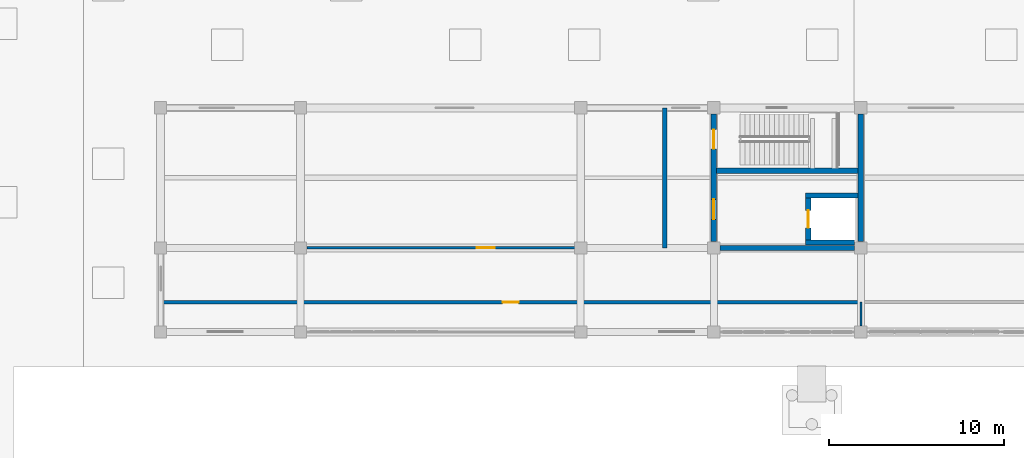
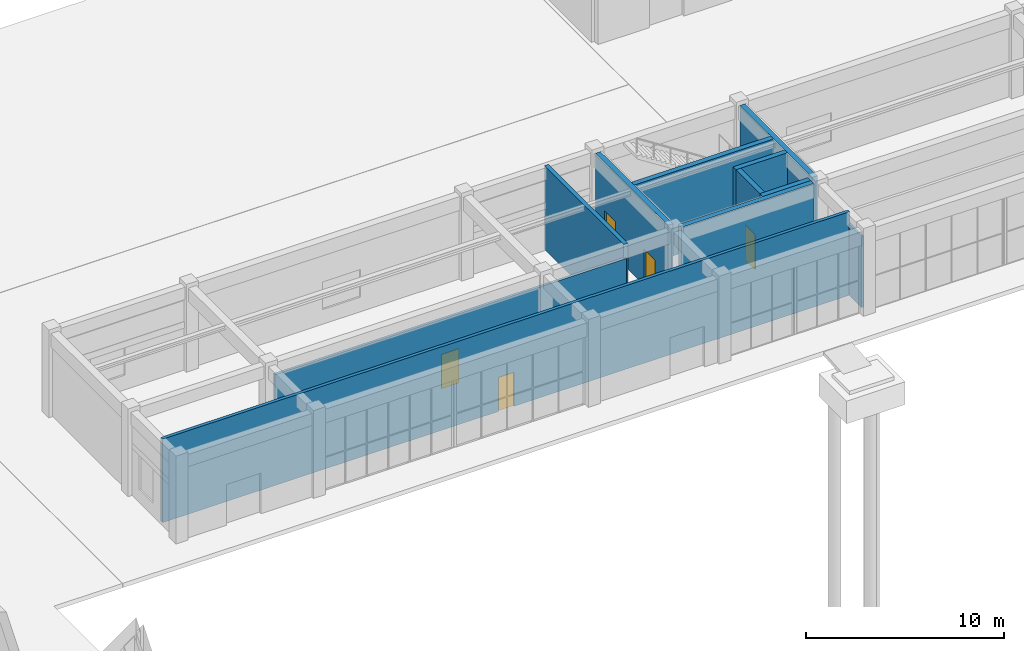
# One storey, part 31 of 46: 11 walls, 5 doors, 5 openings.
"""IFC4 building model written with IfcOpenShell, lengths in metres."""

from ifc_helpers import new_model, si_unit, direction, frame, frame_2d, origin, place, context, subcontext, project, spatial, rectangle, extrude, material, layer, layer_set, type_object, element, fill, save


model = new_model("IFC4")

# Units and contexts
model_context = context("Model", 3, precision=1e-05, world=origin(), true_north=direction((0.0, 1.0)))
body_context = subcontext(model_context, "Body", "Model", "MODEL_VIEW")
ifc_project = project(units=[si_unit("LENGTHUNIT", "METRE"), si_unit("AREAUNIT", "SQUARE_METRE"), si_unit("VOLUMEUNIT", "CUBIC_METRE"), si_unit("PLANEANGLEUNIT", "RADIAN"), si_unit("MASSUNIT", "GRAM", prefix="KILO")], contexts=[model_context])

# Site, building, storey
site_placement = place(None, origin())
site = spatial("IfcSite", under=ifc_project, at=site_placement, CompositionType="ELEMENT")
building_placement = place(site_placement, origin())
building = spatial("IfcBuilding", under=site, at=building_placement, Name="Cinchona Park Media Centre", CompositionType="ELEMENT")
storey_placement = place(building_placement, origin())
storey = spatial("IfcBuildingStorey", under=building, at=storey_placement, Name="L00", CompositionType="ELEMENT", Elevation=0.0)

# Walls
ifc_material_1 = material(Name="Acoustic Double-Stud Gypsum Partition", Category="gypsum")
ifc_layer_1 = layer(ifc_material_1, 0.239990234375)
ifc_layer_set_1 = layer_set([ifc_layer_1], Name="Acoustic Double-Stud Gypsum Partition")
wall_type_1 = type_object("IfcWallType", Name="WALL-W-AC240", PredefinedType="PARTITIONING", material=ifc_layer_set_1)
wall_1_placement = place(storey_placement, frame((83.60009765625, 79.60009765625, 0.0), z_axis=(0.0, 0.0, 1.0), x_axis=(0.0, 1.0, 0.0)))
element("IfcWall", 1, at=wall_1_placement, inside=storey, type_object=wall_type_1, Name="Interior Wall W-AC240 L00", PredefinedType="PARTITIONING", context=body_context, shape_type="SweptSolid", body=[
    extrude(rectangle(XDim=8.0, YDim=0.239990234375, at=frame_2d((4.0, 0.0))), origin(), (0.0, 0.0, 1.0), 5.139892578125),
])
ifc_material_2 = material(Name="Concrete C40/50", Category="concrete")
ifc_layer_2 = layer(ifc_material_2, 0.300048828125)
ifc_layer_set_2 = layer_set([ifc_layer_2], Name="Concrete C40/50")
wall_type_2 = type_object("IfcWallType", Name="WALL-W-CR300", PredefinedType="SHEAR", material=ifc_layer_set_2)
wall_2_placement = place(storey_placement, frame((86.751953125, 79.60009765625, 0.0), z_axis=(0.0, 0.0, 1.0), x_axis=(1.0, 0.0, 0.0)))
element("IfcWall", 2, at=wall_2_placement, inside=storey, type_object=wall_type_2, Name="Core Shear Wall W-CR300 L00", PredefinedType="SHEAR", context=body_context, shape_type="SweptSolid", body=[
    extrude(rectangle(XDim=7.696044921875, YDim=0.300048828125, at=frame_2d((3.84814453125, 0.0))), origin(), (0.0, 0.0, 1.0), 5.139892578125),
])

# Wall, openings, doors
wall_3_placement = place(storey_placement, frame((86.39990234375, 79.951904296875, 0.0), z_axis=(0.0, 0.0, 1.0), x_axis=(0.0, 1.0, 0.0)))
wall_3 = element("IfcWall", 3, at=wall_3_placement, inside=storey, type_object=wall_type_2, Name="Core Shear Wall W-CR300 L00", PredefinedType="SHEAR", context=body_context, shape_type="SweptSolid", body=[
    extrude(rectangle(XDim=7.296142578125, YDim=0.300048828125, at=frame_2d((3.64794921875, 0.0))), origin(), (0.0, 0.0, 1.0), 5.139892578125),
])
opening_1_placement = place(wall_3_placement, frame((5.298095703125, 0.0, 0.0)))
opening_1 = element("IfcOpeningElement", 4, at=opening_1_placement, cuts=wall_3, Name="Opening D052", PredefinedType="OPENING", context=body_context, shape_type="SweptSolid", body=[
    extrude(rectangle(XDim=1.10009765625, YDim=2.14990234375, at=frame_2d((0.550048828125, 1.074951171875))), frame((0.0, 0.159912109375, 0.0), z_axis=(0.0, -1.0, 0.0), x_axis=(1.0, 0.0, 0.0)), (0.0, 0.0, 1.0), 0.320068359375),
])
opening_2_placement = place(wall_3_placement, frame((1.27294921875, 0.0, 0.0)))
opening_2 = element("IfcOpeningElement", 5, at=opening_2_placement, cuts=wall_3, Name="Opening D053", PredefinedType="OPENING", context=body_context, shape_type="SweptSolid", body=[
    extrude(rectangle(XDim=1.14990234375, YDim=2.199951171875, at=frame_2d((0.574951171875, 1.10009765625))), frame((0.0, 0.159912109375, 0.0), z_axis=(0.0, -1.0, 0.0), x_axis=(1.0, 0.0, 0.0)), (0.0, 0.0, 1.0), 0.320068359375),
])
ifc_material_3 = material(Name="Insulated Fire-Rated Steel Door", Category="steel")
door_type_1 = type_object("IfcDoorType", Name="DOOR-DT-FF", OperationType="NOTDEFINED", PredefinedType="DOOR", material=ifc_material_3)
door_1_placement = place(opening_2_placement, origin())
door_1 = element("IfcDoor", 6, at=door_1_placement, inside=storey, type_object=door_type_1, Name="Interior Door D053", OperationType="SINGLE_SWING_LEFT", OverallHeight=2.199951171875, OverallWidth=1.14990234375, PredefinedType="DOOR", context=body_context, shape_type="SweptSolid", body=[
    extrude(rectangle(XDim=1.14990234375, YDim=2.199951171875, at=frame_2d((0.574951171875, 1.10009765625))), frame((0.0, 0.02490234375, 0.0), z_axis=(0.0, -1.0, 0.0), x_axis=(1.0, 0.0, 0.0)), (0.0, 0.0, 1.0), 0.050048828125),
])
fill(opening_2, door_1)
ifc_material_4 = material(Name="Insulated Fire-Rated Steel Door", Category="steel")
door_type_2 = type_object("IfcDoorType", Name="DOOR-DT-ST", OperationType="NOTDEFINED", PredefinedType="DOOR", material=ifc_material_4)
door_2_placement = place(opening_1_placement, origin())
door_2 = element("IfcDoor", 7, at=door_2_placement, inside=storey, type_object=door_type_2, Name="Interior Door D052", OperationType="SINGLE_SWING_RIGHT", OverallHeight=2.14990234375, OverallWidth=1.10009765625, PredefinedType="DOOR", context=body_context, shape_type="SweptSolid", body=[
    extrude(rectangle(XDim=1.10009765625, YDim=2.14990234375, at=frame_2d((0.550048828125, 1.074951171875))), frame((0.0, 0.02490234375, 0.0), z_axis=(0.0, -1.0, 0.0), x_axis=(1.0, 0.0, 0.0)), (0.0, 0.0, 1.0), 0.050048828125),
])
fill(opening_1, door_2)

# Walls
wall_4_placement = place(storey_placement, frame((94.800048828125, 79.951904296875, 0.0), z_axis=(0.0, 0.0, 1.0), x_axis=(0.0, 1.0, 0.0)))
element("IfcWall", 8, at=wall_4_placement, inside=storey, type_object=wall_type_2, Name="Core Shear Wall W-CR300 L00", PredefinedType="SHEAR", context=body_context, shape_type="SweptSolid", body=[
    extrude(rectangle(XDim=7.296142578125, YDim=0.300048828125, at=frame_2d((3.64794921875, 0.0))), origin(), (0.0, 0.0, 1.0), 5.139892578125),
])
wall_5_placement = place(storey_placement, frame((86.550048828125, 84.0, 0.0), z_axis=(0.0, 0.0, 1.0), x_axis=(1.0, 0.0, 0.0)))
element("IfcWall", 9, at=wall_5_placement, inside=storey, type_object=wall_type_2, Name="Core Shear Wall W-CR300 L00", PredefinedType="SHEAR", context=body_context, shape_type="SweptSolid", body=[
    extrude(rectangle(XDim=8.099853515625, YDim=0.300048828125, at=frame_2d((4.0498046875, 0.0))), origin(), (0.0, 0.0, 1.0), 5.139892578125),
])
ifc_material_5 = material(Name="Gypsum Metal-Stud Partition", Category="gypsum")
ifc_layer_3 = layer(ifc_material_5, 0.114990234375)
ifc_layer_set_3 = layer_set([ifc_layer_3], Name="Gypsum Metal-Stud Partition")
wall_type_3 = type_object("IfcWallType", Name="WALL-W-PT115", PredefinedType="PARTITIONING", material=ifc_layer_set_3)
wall_6_placement = place(storey_placement, frame((94.800048828125, 76.5, 0.0), z_axis=(0.0, 0.0, 1.0), x_axis=(0.0, -1.0, 0.0)))
element("IfcWall", 10, at=wall_6_placement, inside=storey, type_object=wall_type_3, Name="Interior Wall W-PT115 L00", PredefinedType="PARTITIONING", context=body_context, shape_type="SweptSolid", body=[
    extrude(rectangle(XDim=1.347900390625, YDim=0.114990234375, at=frame_2d((0.673828125, 0.0))), origin(), (0.0, 0.0, 1.0), 4.389892578125),
])

# Wall, opening, door
ifc_material_6 = material(Name="Fire-Rated Gypsum Stud Partition", Category="gypsum")
ifc_layer_4 = layer(ifc_material_6, 0.14990234375)
ifc_layer_set_4 = layer_set([ifc_layer_4], Name="Fire-Rated Gypsum Stud Partition")
wall_type_4 = type_object("IfcWallType", Name="WALL-W-PT150", PredefinedType="PARTITIONING", material=ifc_layer_set_4)
wall_7_placement = place(storey_placement, frame((63.152099609375, 79.60009765625, 0.0), z_axis=(0.0, 0.0, 1.0), x_axis=(1.0, 0.0, 0.0)))
wall_7 = element("IfcWall", 11, at=wall_7_placement, inside=storey, type_object=wall_type_4, Name="Interior Wall W-PT150 L00", PredefinedType="PARTITIONING", context=body_context, shape_type="SweptSolid", body=[
    extrude(rectangle(XDim=20.447998046875, YDim=0.14990234375, at=frame_2d((10.22412109375, 0.0))), origin(), (0.0, 0.0, 1.0), 4.2900390625),
])
opening_3_placement = place(wall_7_placement, frame((9.714111328125, 0.0, 0.0)))
opening_3 = element("IfcOpeningElement", 12, at=opening_3_placement, cuts=wall_7, Name="Opening D205", PredefinedType="OPENING", context=body_context, shape_type="SweptSolid", body=[
    extrude(rectangle(XDim=1.02001953125, YDim=2.10009765625, at=frame_2d((0.510009765625, 1.050048828125))), frame((0.0, 0.0849609375, 0.0), z_axis=(0.0, -1.0, 0.0), x_axis=(1.0, 0.0, 0.0)), (0.0, 0.0, 1.0), 0.169921875),
])
ifc_material_7 = material(Name="Solid-Core Timber Acoustic Door", Category="wood")
door_type_3 = type_object("IfcDoorType", Name="DOOR-DT05", OperationType="NOTDEFINED", PredefinedType="DOOR", material=ifc_material_7)
door_3_placement = place(opening_3_placement, origin())
door_3 = element("IfcDoor", 13, at=door_3_placement, inside=storey, type_object=door_type_3, Name="Interior Door D205", OperationType="SINGLE_SWING_LEFT", OverallHeight=2.10009765625, OverallWidth=1.02001953125, PredefinedType="DOOR", context=body_context, shape_type="SweptSolid", body=[
    extrude(rectangle(XDim=1.02001953125, YDim=2.10009765625, at=frame_2d((0.510009765625, 1.050048828125))), frame((0.0, 0.02490234375, 0.0), z_axis=(0.0, -1.0, 0.0), x_axis=(1.0, 0.0, 0.0)), (0.0, 0.0, 1.0), 0.050048828125),
])
fill(opening_3, door_3)

ifc_material_8 = material(Name="Fire-Rated Gypsum Stud Partition", Category="gypsum")
ifc_layer_5 = layer(ifc_material_8, 0.18994140625)
ifc_layer_set_5 = layer_set([ifc_layer_5], Name="Fire-Rated Gypsum Stud Partition")
wall_type_5 = type_object("IfcWallType", Name="WALL-W-PT190", PredefinedType="PARTITIONING", material=ifc_layer_set_5)
wall_8_placement = place(storey_placement, frame((94.800048828125, 76.5, 0.0), z_axis=(0.0, 0.0, 1.0), x_axis=(-1.0, 0.0, 0.0)))
wall_8 = element("IfcWall", 14, at=wall_8_placement, inside=storey, type_object=wall_type_5, Name="Interior Wall W-PT190 L00", PredefinedType="PARTITIONING", context=body_context, shape_type="SweptSolid", body=[
    extrude(rectangle(XDim=40.0, YDim=0.18994140625, at=frame_2d((20.0, 0.0))), origin(), (0.0, 0.0, 1.0), 5.139892578125),
])
opening_4_placement = place(wall_8_placement, frame((19.5400390625, 0.0, 0.0)))
opening_4 = element("IfcOpeningElement", 15, at=opening_4_placement, cuts=wall_8, Name="Opening D203", PredefinedType="OPENING", context=body_context, shape_type="SweptSolid", body=[
    extrude(rectangle(XDim=0.919921875, YDim=2.10009765625, at=frame_2d((0.4599609375, 1.050048828125))), frame((0.0, 0.10498046875, 0.0), z_axis=(0.0, -1.0, 0.0), x_axis=(1.0, 0.0, 0.0)), (0.0, 0.0, 1.0), 0.2099609375),
])
ifc_material_9 = material(Name="Solid-Core Timber Acoustic Door", Category="wood")
door_type_4 = type_object("IfcDoorType", Name="DOOR-DT01", OperationType="NOTDEFINED", PredefinedType="DOOR", material=ifc_material_9)
door_4_placement = place(opening_4_placement, origin())
door_4 = element("IfcDoor", 16, at=door_4_placement, inside=storey, type_object=door_type_4, Name="Interior Door D203", OperationType="SINGLE_SWING_LEFT", OverallHeight=2.10009765625, OverallWidth=0.919921875, PredefinedType="DOOR", context=body_context, shape_type="SweptSolid", body=[
    extrude(rectangle(XDim=0.919921875, YDim=2.10009765625, at=frame_2d((0.4599609375, 1.050048828125))), frame((0.0, 0.02490234375, 0.0), z_axis=(0.0, -1.0, 0.0), x_axis=(1.0, 0.0, 0.0)), (0.0, 0.0, 1.0), 0.050048828125),
])
fill(opening_4, door_4)

# Walls
ifc_material_10 = material(Name="Concrete C40/50", Category="concrete")
ifc_layer_6 = layer(ifc_material_10, 0.2900390625)
ifc_layer_set_6 = layer_set([ifc_layer_6], Name="Concrete C40/50")
wall_type_6 = type_object("IfcWallType", Name="WALL-W-SH290", PredefinedType="SHEAR", material=ifc_layer_set_6)
wall_9_placement = place(storey_placement, frame((91.655029296875, 79.89990234375, 0.0), z_axis=(0.0, 0.0, 1.0), x_axis=(1.0, 0.0, 0.0)))
element("IfcWall", 17, at=wall_9_placement, inside=storey, type_object=wall_type_6, Name="Core Shear Wall W-SH290 L00", PredefinedType="SHEAR", context=body_context, shape_type="SweptSolid", body=[
    extrude(rectangle(XDim=2.79296875, YDim=0.2900390625, at=frame_2d((1.396484375, 0.0))), origin(), (0.0, 0.0, 1.0), 5.139892578125),
])
wall_10_placement = place(storey_placement, frame((91.655029296875, 82.60009765625, 0.0), z_axis=(0.0, 0.0, 1.0), x_axis=(1.0, 0.0, 0.0)))
element("IfcWall", 18, at=wall_10_placement, inside=storey, type_object=wall_type_6, Name="Core Shear Wall W-SH290 L00", PredefinedType="SHEAR", context=body_context, shape_type="SweptSolid", body=[
    extrude(rectangle(XDim=2.989990234375, YDim=0.2900390625, at=frame_2d((1.4951171875, 0.0))), origin(), (0.0, 0.0, 1.0), 5.139892578125),
])

# Wall, opening, door
wall_11_placement = place(storey_placement, frame((91.800048828125, 80.044921875, 0.0), z_axis=(0.0, 0.0, 1.0), x_axis=(0.0, 1.0, 0.0)))
wall_11 = element("IfcWall", 19, at=wall_11_placement, inside=storey, type_object=wall_type_6, Name="Core Shear Wall W-SH290 L00", PredefinedType="SHEAR", context=body_context, shape_type="SweptSolid", body=[
    extrude(rectangle(XDim=2.41015625, YDim=0.2900390625, at=frame_2d((1.205078125, 0.0))), origin(), (0.0, 0.0, 1.0), 5.139892578125),
])
opening_5_placement = place(wall_11_placement, frame((0.705078125, 0.0, 0.0)))
opening_5 = element("IfcOpeningElement", 20, at=opening_5_placement, cuts=wall_11, Name="Opening LD12", PredefinedType="OPENING", context=body_context, shape_type="SweptSolid", body=[
    extrude(rectangle(XDim=1.0, YDim=2.14990234375, at=frame_2d((0.5, 1.074951171875))), frame((0.0, 0.155029296875, 0.0), z_axis=(0.0, -1.0, 0.0), x_axis=(1.0, 0.0, 0.0)), (0.0, 0.0, 1.0), 0.31005859375),
])
ifc_material_11 = material(Name="Stainless Steel Sliding Lift Landing Door", Category="steel")
door_type_5 = type_object("IfcDoorType", Name="DOOR-DT-LD2", OperationType="NOTDEFINED", PredefinedType="DOOR", material=ifc_material_11)
door_5_placement = place(opening_5_placement, origin())
door_5 = element("IfcDoor", 21, at=door_5_placement, inside=storey, type_object=door_type_5, Name="Lift Landing Door LD12", OperationType="SLIDING_TO_LEFT", OverallHeight=2.14990234375, OverallWidth=1.0, PredefinedType="DOOR", context=body_context, shape_type="SweptSolid", body=[
    extrude(rectangle(XDim=1.0, YDim=2.14990234375, at=frame_2d((0.5, 1.074951171875))), frame((0.0, 0.02490234375, 0.0), z_axis=(0.0, -1.0, 0.0), x_axis=(1.0, 0.0, 0.0)), (0.0, 0.0, 1.0), 0.050048828125),
])
fill(opening_5, door_5)

save(model, "model.ifc")
